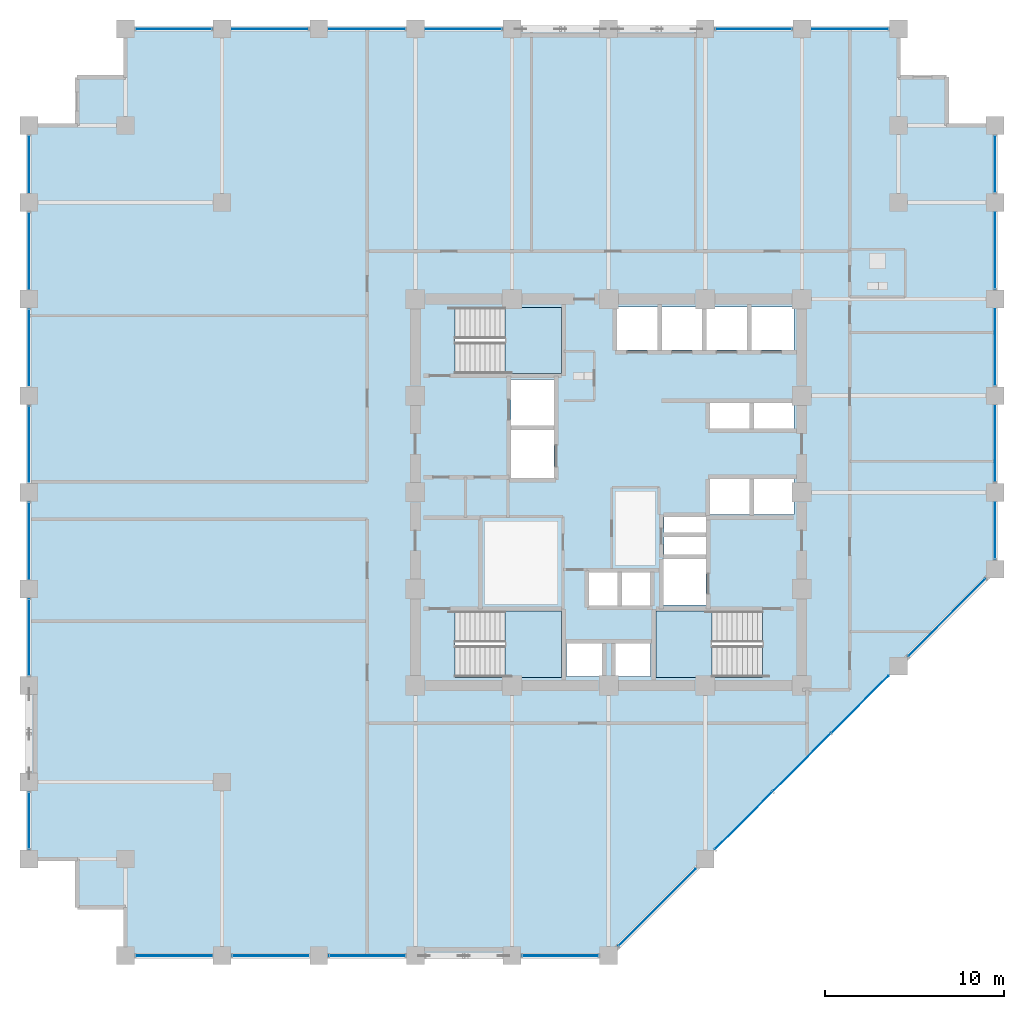
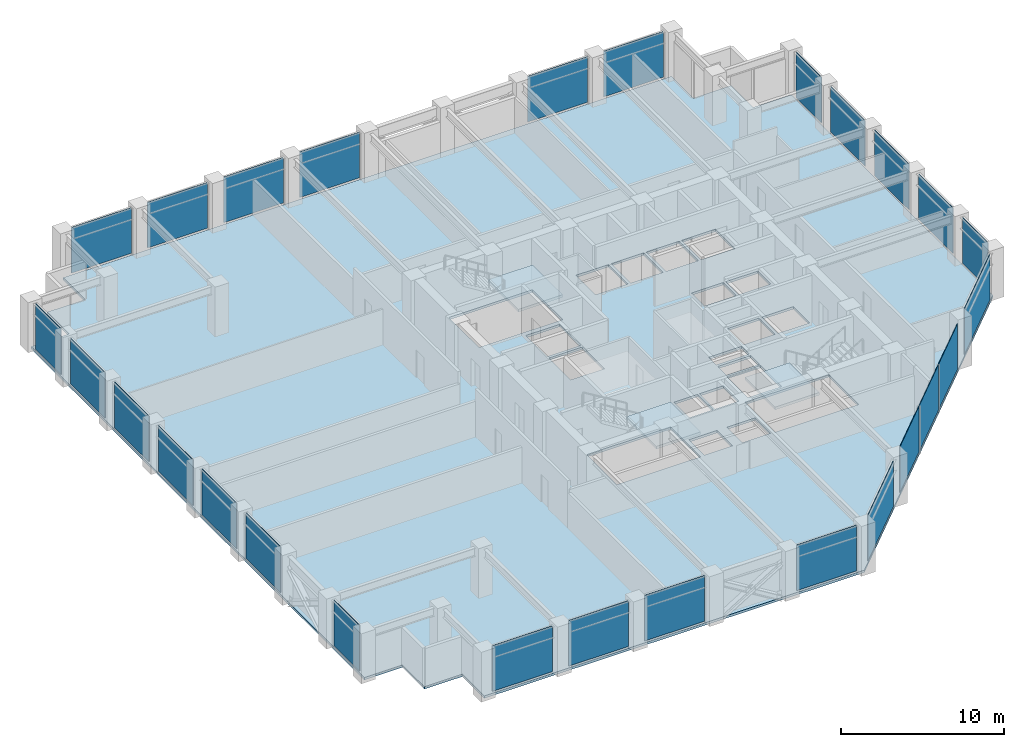
# One storey, part 17 of 23: 27 plates, 4 slabs, 11 elements without a shape of their own.
"""IFC4 building model written with IfcOpenShell, lengths in metres."""

from ifc_helpers import new_model, si_unit, direction, frame, frame_2d, origin, place, context, subcontext, project, spatial, polyline, rectangle, outline, extrude, material, layer, layer_set, type_object, element, aggregate, save


model = new_model("IFC4")

# Units and contexts
model_context = context("Model", 3, precision=1e-05, world=origin(), true_north=direction((0.0, 1.0)))
body_context = subcontext(model_context, "Body", "Model", "MODEL_VIEW")
ifc_project = project(units=[si_unit("LENGTHUNIT", "METRE"), si_unit("AREAUNIT", "SQUARE_METRE"), si_unit("VOLUMEUNIT", "CUBIC_METRE"), si_unit("PLANEANGLEUNIT", "RADIAN"), si_unit("MASSUNIT", "GRAM", prefix="KILO")], contexts=[model_context])

# Site, building, storey
site_placement = place(None, origin())
site = spatial("IfcSite", under=ifc_project, at=site_placement, CompositionType="ELEMENT")
building_placement = place(site_placement, origin())
building = spatial("IfcBuilding", under=site, at=building_placement, Name="Surkhivell Harbour Commons", CompositionType="ELEMENT")
storey_placement = place(building_placement, frame((0.0, 0.0, 128.25)))
storey = spatial("IfcBuildingStorey", under=building, at=storey_placement, Name="L33", CompositionType="ELEMENT", Elevation=128.25)

# Curtain wall, plates
ifc_material_1 = material(Name="Anodised pale-metal aluminium and insulated glazing", Category="aluminium")
ifc_layer_1 = layer(ifc_material_1, 0.205078125)
ifc_layer_set_1 = layer_set([ifc_layer_1], Name="Anodised pale-metal aluminium and insulated glazing")
curtain_wall_type = type_object("IfcCurtainWallType", Name="CW-SYS-Z2", PredefinedType="NOTDEFINED", material=ifc_layer_set_1)
curtain_wall_1_placement = place(storey_placement, origin())
curtain_wall_1 = element("IfcCurtainWall", 1, at=curtain_wall_1_placement, inside=storey, type_object=curtain_wall_type, Name="L33 Curtain Wall CW-L33-E00S1", PredefinedType="NOTDEFINED")
ifc_material_2 = material(Name="High-pressure typhoon laminated vision glass", Category="glass")
ifc_layer_2 = layer(ifc_material_2, 0.035888671875)
ifc_layer_set_2 = layer_set([ifc_layer_2], Name="High-pressure typhoon laminated vision glass")
plate_type = type_object("IfcPlateType", Name="CWP-GLZ-36", PredefinedType="CURTAIN_PANEL", material=ifc_layer_set_2)
plate_1_placement = place(storey_placement, frame((-26.423095703125, -25.89990234375, 0.14990234375), z_axis=(0.0, 0.0, 1.0), x_axis=(1.0, 0.0, 0.0)))
plate_1 = element("IfcPlate", 2, at=plate_1_placement, type_object=plate_type, Name="CW-Z2 panel 1.1", PredefinedType="CURTAIN_PANEL", context=body_context, shape_type="SweptSolid", body=[
    extrude(rectangle(XDim=4.24609375, YDim=0.035888671875, at=frame_2d((2.123046875, 0.0))), origin(), (0.0, 0.0, 1.0), 3.420166015625),
])
plate_2_placement = place(storey_placement, frame((-21.02294921875, -25.89990234375, 0.14990234375), z_axis=(0.0, 0.0, 1.0), x_axis=(1.0, 0.0, 0.0)))
plate_2 = element("IfcPlate", 3, at=plate_2_placement, type_object=plate_type, Name="CW-Z2 panel 2.1", PredefinedType="CURTAIN_PANEL", context=body_context, shape_type="SweptSolid", body=[
    extrude(rectangle(XDim=4.245849609375, YDim=0.035888671875, at=frame_2d((2.123046875, 0.0))), origin(), (0.0, 0.0, 1.0), 3.420166015625),
])
plate_3_placement = place(storey_placement, frame((-15.623046875, -25.89990234375, 0.14990234375), z_axis=(0.0, 0.0, 1.0), x_axis=(1.0, 0.0, 0.0)))
plate_3 = element("IfcPlate", 4, at=plate_3_placement, type_object=plate_type, Name="CW-Z2 panel 3.1", PredefinedType="CURTAIN_PANEL", context=body_context, shape_type="SweptSolid", body=[
    extrude(rectangle(XDim=4.24609375, YDim=0.035888671875, at=frame_2d((2.123046875, 0.0))), origin(), (0.0, 0.0, 1.0), 3.420166015625),
])
aggregate(curtain_wall_1, [plate_1, plate_2, plate_3])

# Curtain wall, plate
curtain_wall_2_placement = place(storey_placement, origin())
curtain_wall_2 = element("IfcCurtainWall", 5, at=curtain_wall_2_placement, inside=storey, type_object=curtain_wall_type, Name="L33 Curtain Wall CW-L33-E00S2", PredefinedType="NOTDEFINED")
plate_4_placement = place(storey_placement, frame((-4.822998046875, -25.89990234375, 0.14990234375), z_axis=(0.0, 0.0, 1.0), x_axis=(1.0, 0.0, 0.0)))
plate_4 = element("IfcPlate", 6, at=plate_4_placement, type_object=plate_type, Name="CW-Z2 panel 1.1", PredefinedType="CURTAIN_PANEL", context=body_context, shape_type="SweptSolid", body=[
    extrude(rectangle(XDim=4.24609375, YDim=0.035888671875, at=frame_2d((2.123046875, 0.0))), origin(), (0.0, 0.0, 1.0), 3.420166015625),
])
aggregate(curtain_wall_2, [plate_4])

# Curtain wall, plates
curtain_wall_3_placement = place(storey_placement, origin())
curtain_wall_3 = element("IfcCurtainWall", 7, at=curtain_wall_3_placement, inside=storey, type_object=curtain_wall_type, Name="L33 Curtain Wall CW-L33-E01", PredefinedType="NOTDEFINED")
plate_5_placement = place(storey_placement, frame((0.5546875, -25.34521484375, 0.14990234375), z_axis=(0.0, 0.0, 1.0), x_axis=(0.707106781187, 0.707106781187, 0.0)))
plate_5 = element("IfcPlate", 8, at=plate_5_placement, type_object=plate_type, Name="CW-Z2 panel 1.1", PredefinedType="CURTAIN_PANEL", context=body_context, shape_type="SweptSolid", body=[
    extrude(rectangle(XDim=6.067626953125, YDim=0.035888671875, at=frame_2d((3.03369140625, 0.0))), origin(), (0.0, 0.0, 1.0), 3.420166015625),
])
plate_6_placement = place(storey_placement, frame((5.954833984375, -19.9453125, 0.14990234375), z_axis=(0.0, 0.0, 1.0), x_axis=(0.707079687416, 0.707133873919, 0.0)))
plate_6 = element("IfcPlate", 9, at=plate_6_placement, type_object=plate_type, Name="CW-Z2 panel 2.1", PredefinedType="CURTAIN_PANEL", context=body_context, shape_type="SweptSolid", body=[
    extrude(rectangle(XDim=4.505615234375, YDim=0.035888671875, at=frame_2d((2.2529296875, 0.0))), origin(), (0.0, 0.0, 1.0), 3.420166015625),
])
plate_7_placement = place(storey_placement, frame((9.19384765625, -16.706298828125, 0.14990234375), z_axis=(0.0, 0.0, 1.0), x_axis=(0.707079911854, 0.707133649498, 0.0)))
plate_7 = element("IfcPlate", 10, at=plate_7_placement, type_object=plate_type, Name="CW-Z2 panel 3.1", PredefinedType="CURTAIN_PANEL", context=body_context, shape_type="SweptSolid", body=[
    extrude(rectangle(XDim=4.543212890625, YDim=0.035888671875, at=frame_2d((2.271484375, 0.0))), origin(), (0.0, 0.0, 1.0), 3.420166015625),
])
plate_8_placement = place(storey_placement, frame((12.459228515625, -13.440673828125, 0.14990234375), z_axis=(0.0, 0.0, 1.0), x_axis=(0.707106781187, 0.707106781187, 0.0)))
plate_8 = element("IfcPlate", 11, at=plate_8_placement, type_object=plate_type, Name="CW-Z2 panel 4.1", PredefinedType="CURTAIN_PANEL", context=body_context, shape_type="SweptSolid", body=[
    extrude(rectangle(XDim=4.505615234375, YDim=0.035888671875, at=frame_2d((2.2529296875, 0.0))), origin(), (0.0, 0.0, 1.0), 3.420166015625),
])
plate_9_placement = place(storey_placement, frame((16.754638671875, -9.145263671875, 0.14990234375), z_axis=(0.0, 0.0, 1.0), x_axis=(0.707106781187, 0.707106781187, 0.0)))
plate_9 = element("IfcPlate", 12, at=plate_9_placement, type_object=plate_type, Name="CW-Z2 panel 5.1", PredefinedType="CURTAIN_PANEL", context=body_context, shape_type="SweptSolid", body=[
    extrude(rectangle(XDim=6.067626953125, YDim=0.035888671875, at=frame_2d((3.03369140625, 0.0))), origin(), (0.0, 0.0, 1.0), 3.420166015625),
])
aggregate(curtain_wall_3, [plate_5, plate_6, plate_7, plate_8, plate_9])

curtain_wall_4_placement = place(storey_placement, origin())
curtain_wall_4 = element("IfcCurtainWall", 13, at=curtain_wall_4_placement, inside=storey, type_object=curtain_wall_type, Name="L33 Curtain Wall CW-L33-E02", PredefinedType="NOTDEFINED")
plate_10_placement = place(storey_placement, frame((21.60009765625, -3.722900390625, 0.14990234375), z_axis=(0.0, 0.0, 1.0), x_axis=(0.0, 1.0, 0.0)))
plate_10 = element("IfcPlate", 14, at=plate_10_placement, type_object=plate_type, Name="CW-Z2 panel 1.1", PredefinedType="CURTAIN_PANEL", context=body_context, shape_type="SweptSolid", body=[
    extrude(rectangle(XDim=3.14599609375, YDim=0.035888671875, at=frame_2d((1.572998046875, 0.0))), origin(), (0.0, 0.0, 1.0), 3.420166015625),
])
plate_11_placement = place(storey_placement, frame((21.60009765625, 0.576904296875, 0.14990234375), z_axis=(0.0, 0.0, 1.0), x_axis=(0.0, 1.0, 0.0)))
plate_11 = element("IfcPlate", 15, at=plate_11_placement, type_object=plate_type, Name="CW-Z2 panel 2.1", PredefinedType="CURTAIN_PANEL", context=body_context, shape_type="SweptSolid", body=[
    extrude(rectangle(XDim=4.24609375, YDim=0.035888671875, at=frame_2d((2.123046875, 0.0))), origin(), (0.0, 0.0, 1.0), 3.420166015625),
])
plate_12_placement = place(storey_placement, frame((21.60009765625, 5.97705078125, 0.14990234375), z_axis=(0.0, 0.0, 1.0), x_axis=(0.0, 1.0, 0.0)))
plate_12 = element("IfcPlate", 16, at=plate_12_placement, type_object=plate_type, Name="CW-Z2 panel 3.1", PredefinedType="CURTAIN_PANEL", context=body_context, shape_type="SweptSolid", body=[
    extrude(rectangle(XDim=4.245849609375, YDim=0.035888671875, at=frame_2d((2.123046875, 0.0))), origin(), (0.0, 0.0, 1.0), 3.420166015625),
])
plate_13_placement = place(storey_placement, frame((21.60009765625, 11.376953125, 0.14990234375), z_axis=(0.0, 0.0, 1.0), x_axis=(0.0, 1.0, 0.0)))
plate_13 = element("IfcPlate", 17, at=plate_13_placement, type_object=plate_type, Name="CW-Z2 panel 4.1", PredefinedType="CURTAIN_PANEL", context=body_context, shape_type="SweptSolid", body=[
    extrude(rectangle(XDim=4.24609375, YDim=0.035888671875, at=frame_2d((2.123046875, 0.0))), origin(), (0.0, 0.0, 1.0), 3.420166015625),
])
plate_14_placement = place(storey_placement, frame((21.60009765625, 16.777099609375, 0.14990234375), z_axis=(0.0, 0.0, 1.0), x_axis=(0.0, 1.0, 0.0)))
plate_14 = element("IfcPlate", 18, at=plate_14_placement, type_object=plate_type, Name="CW-Z2 panel 5.1", PredefinedType="CURTAIN_PANEL", context=body_context, shape_type="SweptSolid", body=[
    extrude(rectangle(XDim=3.14599609375, YDim=0.035888671875, at=frame_2d((1.572998046875, 0.0))), origin(), (0.0, 0.0, 1.0), 3.420166015625),
])
aggregate(curtain_wall_4, [plate_10, plate_11, plate_12, plate_13, plate_14])

curtain_wall_5_placement = place(storey_placement, origin())
curtain_wall_5 = element("IfcCurtainWall", 19, at=curtain_wall_5_placement, inside=storey, type_object=curtain_wall_type, Name="L33 Curtain Wall CW-L33-E07S1", PredefinedType="NOTDEFINED")
plate_15_placement = place(storey_placement, frame((15.623046875, 25.89990234375, 0.14990234375), z_axis=(0.0, 0.0, 1.0), x_axis=(-1.0, 0.0, 0.0)))
plate_15 = element("IfcPlate", 20, at=plate_15_placement, type_object=plate_type, Name="CW-Z2 panel 1.1", PredefinedType="CURTAIN_PANEL", context=body_context, shape_type="SweptSolid", body=[
    extrude(rectangle(XDim=4.24609375, YDim=0.035888671875, at=frame_2d((2.123046875, 0.0))), origin(), (0.0, 0.0, 1.0), 3.420166015625),
])
plate_16_placement = place(storey_placement, frame((10.222900390625, 25.89990234375, 0.14990234375), z_axis=(0.0, 0.0, 1.0), x_axis=(-1.0, 0.0, 0.0)))
plate_16 = element("IfcPlate", 21, at=plate_16_placement, type_object=plate_type, Name="CW-Z2 panel 2.1", PredefinedType="CURTAIN_PANEL", context=body_context, shape_type="SweptSolid", body=[
    extrude(rectangle(XDim=4.245849609375, YDim=0.035888671875, at=frame_2d((2.123046875, 0.0))), origin(), (0.0, 0.0, 1.0), 3.420166015625),
])
aggregate(curtain_wall_5, [plate_15, plate_16])

curtain_wall_6_placement = place(storey_placement, origin())
curtain_wall_6 = element("IfcCurtainWall", 22, at=curtain_wall_6_placement, inside=storey, type_object=curtain_wall_type, Name="L33 Curtain Wall CW-L33-E07S2", PredefinedType="NOTDEFINED")
plate_17_placement = place(storey_placement, frame((-5.97705078125, 25.89990234375, 0.14990234375), z_axis=(0.0, 0.0, 1.0), x_axis=(-1.0, 0.0, 0.0)))
plate_17 = element("IfcPlate", 23, at=plate_17_placement, type_object=plate_type, Name="CW-Z2 panel 1.1", PredefinedType="CURTAIN_PANEL", context=body_context, shape_type="SweptSolid", body=[
    extrude(rectangle(XDim=4.245849609375, YDim=0.035888671875, at=frame_2d((2.123046875, 0.0))), origin(), (0.0, 0.0, 1.0), 3.420166015625),
])
plate_18_placement = place(storey_placement, frame((-11.376953125, 25.89990234375, 0.14990234375), z_axis=(0.0, 0.0, 1.0), x_axis=(-1.0, 0.0, 0.0)))
plate_18 = element("IfcPlate", 24, at=plate_18_placement, type_object=plate_type, Name="CW-Z2 panel 2.1", PredefinedType="CURTAIN_PANEL", context=body_context, shape_type="SweptSolid", body=[
    extrude(rectangle(XDim=4.24609375, YDim=0.035888671875, at=frame_2d((2.123046875, 0.0))), origin(), (0.0, 0.0, 1.0), 3.420166015625),
])
plate_19_placement = place(storey_placement, frame((-16.777099609375, 25.89990234375, 0.14990234375), z_axis=(0.0, 0.0, 1.0), x_axis=(-1.0, 0.0, 0.0)))
plate_19 = element("IfcPlate", 25, at=plate_19_placement, type_object=plate_type, Name="CW-Z2 panel 3.1", PredefinedType="CURTAIN_PANEL", context=body_context, shape_type="SweptSolid", body=[
    extrude(rectangle(XDim=4.245849609375, YDim=0.035888671875, at=frame_2d((2.123046875, 0.0))), origin(), (0.0, 0.0, 1.0), 3.420166015625),
])
plate_20_placement = place(storey_placement, frame((-22.177001953125, 25.89990234375, 0.14990234375), z_axis=(0.0, 0.0, 1.0), x_axis=(-1.0, 0.0, 0.0)))
plate_20 = element("IfcPlate", 26, at=plate_20_placement, type_object=plate_type, Name="CW-Z2 panel 4.1", PredefinedType="CURTAIN_PANEL", context=body_context, shape_type="SweptSolid", body=[
    extrude(rectangle(XDim=4.24609375, YDim=0.035888671875, at=frame_2d((2.123046875, 0.0))), origin(), (0.0, 0.0, 1.0), 3.420166015625),
])
aggregate(curtain_wall_6, [plate_17, plate_18, plate_19, plate_20])

curtain_wall_7_placement = place(storey_placement, origin())
curtain_wall_7 = element("IfcCurtainWall", 27, at=curtain_wall_7_placement, inside=storey, type_object=curtain_wall_type, Name="L33 Curtain Wall CW-L33-E12S1", PredefinedType="NOTDEFINED")
plate_21_placement = place(storey_placement, frame((-32.39990234375, 19.923095703125, 0.14990234375), z_axis=(0.0, 0.0, 1.0), x_axis=(0.0, -1.0, 0.0)))
plate_21 = element("IfcPlate", 28, at=plate_21_placement, type_object=plate_type, Name="CW-Z2 panel 1.1", PredefinedType="CURTAIN_PANEL", context=body_context, shape_type="SweptSolid", body=[
    extrude(rectangle(XDim=3.14599609375, YDim=0.035888671875, at=frame_2d((1.572998046875, 0.0))), origin(), (0.0, 0.0, 1.0), 3.420166015625),
])
plate_22_placement = place(storey_placement, frame((-32.39990234375, 15.623046875, 0.14990234375), z_axis=(0.0, 0.0, 1.0), x_axis=(0.0, -1.0, 0.0)))
plate_22 = element("IfcPlate", 29, at=plate_22_placement, type_object=plate_type, Name="CW-Z2 panel 2.1", PredefinedType="CURTAIN_PANEL", context=body_context, shape_type="SweptSolid", body=[
    extrude(rectangle(XDim=4.24609375, YDim=0.035888671875, at=frame_2d((2.123046875, 0.0))), origin(), (0.0, 0.0, 1.0), 3.420166015625),
])
plate_23_placement = place(storey_placement, frame((-32.39990234375, 10.222900390625, 0.14990234375), z_axis=(0.0, 0.0, 1.0), x_axis=(0.0, -1.0, 0.0)))
plate_23 = element("IfcPlate", 30, at=plate_23_placement, type_object=plate_type, Name="CW-Z2 panel 3.1", PredefinedType="CURTAIN_PANEL", context=body_context, shape_type="SweptSolid", body=[
    extrude(rectangle(XDim=4.245849609375, YDim=0.035888671875, at=frame_2d((2.123046875, 0.0))), origin(), (0.0, 0.0, 1.0), 3.420166015625),
])
plate_24_placement = place(storey_placement, frame((-32.39990234375, 4.822998046875, 0.14990234375), z_axis=(0.0, 0.0, 1.0), x_axis=(0.0, -1.0, 0.0)))
plate_24 = element("IfcPlate", 31, at=plate_24_placement, type_object=plate_type, Name="CW-Z2 panel 4.1", PredefinedType="CURTAIN_PANEL", context=body_context, shape_type="SweptSolid", body=[
    extrude(rectangle(XDim=4.24609375, YDim=0.035888671875, at=frame_2d((2.123046875, 0.0))), origin(), (0.0, 0.0, 1.0), 3.420166015625),
])
plate_25_placement = place(storey_placement, frame((-32.39990234375, -0.576904296875, 0.14990234375), z_axis=(0.0, 0.0, 1.0), x_axis=(0.0, -1.0, 0.0)))
plate_25 = element("IfcPlate", 32, at=plate_25_placement, type_object=plate_type, Name="CW-Z2 panel 5.1", PredefinedType="CURTAIN_PANEL", context=body_context, shape_type="SweptSolid", body=[
    extrude(rectangle(XDim=4.24609375, YDim=0.035888671875, at=frame_2d((2.123046875, 0.0))), origin(), (0.0, 0.0, 1.0), 3.420166015625),
])
plate_26_placement = place(storey_placement, frame((-32.39990234375, -5.97705078125, 0.14990234375), z_axis=(0.0, 0.0, 1.0), x_axis=(0.0, -1.0, 0.0)))
plate_26 = element("IfcPlate", 33, at=plate_26_placement, type_object=plate_type, Name="CW-Z2 panel 6.1", PredefinedType="CURTAIN_PANEL", context=body_context, shape_type="SweptSolid", body=[
    extrude(rectangle(XDim=4.245849609375, YDim=0.035888671875, at=frame_2d((2.123046875, 0.0))), origin(), (0.0, 0.0, 1.0), 3.420166015625),
])
aggregate(curtain_wall_7, [plate_21, plate_22, plate_23, plate_24, plate_25, plate_26])

# Curtain wall, plate
curtain_wall_8_placement = place(storey_placement, origin())
curtain_wall_8 = element("IfcCurtainWall", 34, at=curtain_wall_8_placement, inside=storey, type_object=curtain_wall_type, Name="L33 Curtain Wall CW-L33-E12S2", PredefinedType="NOTDEFINED")
plate_27_placement = place(storey_placement, frame((-32.39990234375, -16.777099609375, 0.14990234375), z_axis=(0.0, 0.0, 1.0), x_axis=(0.0, -1.0, 0.0)))
plate_27 = element("IfcPlate", 35, at=plate_27_placement, type_object=plate_type, Name="CW-Z2 panel 1.1", PredefinedType="CURTAIN_PANEL", context=body_context, shape_type="SweptSolid", body=[
    extrude(rectangle(XDim=3.14599609375, YDim=0.035888671875, at=frame_2d((1.572998046875, 0.0))), origin(), (0.0, 0.0, 1.0), 3.420166015625),
])
aggregate(curtain_wall_8, [plate_27])

# Stair, slab
ifc_material_3 = material(Name="Precast concrete C45/55", Category="concrete")
stair_type = type_object("IfcStairType", Name="STR-DL-375", PredefinedType="HALF_TURN_STAIR", material=ifc_material_3)
stair_1_placement = place(storey_placement, origin())
stair_1 = element("IfcStair", 36, at=stair_1_placement, inside=storey, type_object=stair_type, Name="L33 Core Exit Stair ST1", PredefinedType="HALF_TURN_STAIR")
ifc_material_4 = material(Name="Reinforced concrete C45/55", Category="concrete")
ifc_layer_3 = layer(ifc_material_4, 0.199951171875)
ifc_layer_set_3 = layer_set([ifc_layer_3], Name="Reinforced concrete C45/55")
slab_type_1 = type_object("IfcSlabType", Name="SLB-ST-LND200", PredefinedType="LANDING", material=ifc_layer_set_3)
slab_1_placement = place(storey_placement, frame((0.0, 0.0, 1.675048828125)))
slab_1 = element("IfcSlab", 37, at=slab_1_placement, type_object=slab_type_1, Name="ST1 landing 1", PredefinedType="LANDING", context=body_context, shape_type="SweptSolid", body=[
    extrude(outline(polyline([(-5.7900390625, 6.639892578125), (-2.639892578125, 6.639892578125), (-2.639892578125, 10.340087890625), (-5.7900390625, 10.340087890625), (-5.7900390625, 6.639892578125)])), origin(), (0.0, 0.0, 1.0), 0.199951171875),
])
aggregate(stair_1, [slab_1])

stair_2_placement = place(storey_placement, origin())
stair_2 = element("IfcStair", 38, at=stair_2_placement, inside=storey, type_object=stair_type, Name="L33 Core Exit Stair ST2", PredefinedType="HALF_TURN_STAIR")
slab_2_placement = place(storey_placement, frame((0.0, 0.0, 1.675048828125)))
slab_2 = element("IfcSlab", 39, at=slab_2_placement, type_object=slab_type_1, Name="ST2 landing 1", PredefinedType="LANDING", context=body_context, shape_type="SweptSolid", body=[
    extrude(outline(polyline([(5.7900390625, -6.639892578125), (2.639892578125, -6.639892578125), (2.639892578125, -10.340087890625), (5.7900390625, -10.340087890625), (5.7900390625, -6.639892578125)])), origin(), (0.0, 0.0, 1.0), 0.199951171875),
])
aggregate(stair_2, [slab_2])

stair_3_placement = place(storey_placement, origin())
stair_3 = element("IfcStair", 40, at=stair_3_placement, inside=storey, type_object=stair_type, Name="L33 Core Exit Stair ST3", PredefinedType="HALF_TURN_STAIR")
slab_3_placement = place(storey_placement, frame((0.0, 0.0, 1.675048828125)))
slab_3 = element("IfcSlab", 41, at=slab_3_placement, type_object=slab_type_1, Name="ST3 landing 1", PredefinedType="LANDING", context=body_context, shape_type="SweptSolid", body=[
    extrude(outline(polyline([(-5.7900390625, -10.340087890625), (-2.639892578125, -10.340087890625), (-2.639892578125, -6.639892578125), (-5.7900390625, -6.639892578125), (-5.7900390625, -10.340087890625)])), origin(), (0.0, 0.0, 1.0), 0.199951171875),
])
aggregate(stair_3, [slab_3])

# Slab
ifc_material_5 = material(Name="Concrete C45/55", Category="concrete")
ifc_layer_4 = layer(ifc_material_5, 0.179931640625)
ifc_layer_set_4 = layer_set([ifc_layer_4], Name="Concrete C45/55")
slab_type_2 = type_object("IfcSlabType", Name="SLB-TYP-180", PredefinedType="FLOOR", material=ifc_layer_set_4)
slab_4_placement = place(storey_placement, frame((0.0, 0.0, -0.179931640625)))
element("IfcSlab", 42, at=slab_4_placement, inside=storey, type_object=slab_type_2, Name="L33 Structural Floor Slab", PredefinedType="FLOOR", context=body_context, shape_type="SweptSolid", body=[
    extrude(outline(polyline([(-27.0, -25.89990234375), (0.0, -25.89990234375), (21.60009765625, -4.300048828125), (21.60009765625, 20.5), (18.89990234375, 20.5), (18.89990234375, 23.199951171875), (16.199951171875, 23.199951171875), (16.199951171875, 25.89990234375), (-27.0, 25.89990234375), (-27.0, 23.199951171875), (-29.699951171875, 23.199951171875), (-29.699951171875, 20.5), (-32.39990234375, 20.5), (-32.39990234375, -20.5), (-29.699951171875, -20.5), (-29.699951171875, -23.199951171875), (-27.0, -23.199951171875), (-27.0, -25.89990234375)]), holes=[polyline([(-8.590087890625, 6.639892578125), (-2.639892578125, 6.639892578125), (-2.639892578125, 10.340087890625), (-8.590087890625, 10.340087890625), (-8.590087890625, 6.639892578125)]), polyline([(8.590087890625, -6.639892578125), (2.639892578125, -6.639892578125), (2.639892578125, -10.340087890625), (8.590087890625, -10.340087890625), (8.590087890625, -6.639892578125)]), polyline([(-8.590087890625, -10.340087890625), (-2.639892578125, -10.340087890625), (-2.639892578125, -6.639892578125), (-8.590087890625, -6.639892578125), (-8.590087890625, -10.340087890625)]), polyline([(0.449951171875, 7.949951171875), (2.75, 7.949951171875), (2.75, 10.35009765625), (0.449951171875, 10.35009765625), (0.449951171875, 7.949951171875)]), polyline([(2.949951171875, 7.949951171875), (5.25, 7.949951171875), (5.25, 10.35009765625), (2.949951171875, 10.35009765625), (2.949951171875, 7.949951171875)]), polyline([(5.449951171875, 7.949951171875), (7.75, 7.949951171875), (7.75, 10.35009765625), (5.449951171875, 10.35009765625), (5.449951171875, 7.949951171875)]), polyline([(7.949951171875, 7.949951171875), (10.35009765625, 7.949951171875), (10.35009765625, 10.35009765625), (7.949951171875, 10.35009765625), (7.949951171875, 7.949951171875)]), polyline([(5.64990234375, 3.550048828125), (7.89990234375, 3.550048828125), (7.89990234375, 5.14990234375), (5.64990234375, 5.14990234375), (5.64990234375, 3.550048828125)]), polyline([(8.10009765625, 3.550048828125), (10.35009765625, 3.550048828125), (10.35009765625, 5.14990234375), (8.10009765625, 5.14990234375), (8.10009765625, 3.550048828125)]), polyline([(5.64990234375, -1.25), (7.89990234375, -1.25), (7.89990234375, 0.75), (5.64990234375, 0.75), (5.64990234375, -1.25)]), polyline([(8.10009765625, -1.25), (10.35009765625, -1.25), (10.35009765625, 0.75), (8.10009765625, 0.75), (8.10009765625, -1.25)]), polyline([(-1.14990234375, -6.35009765625), (0.550048828125, -6.35009765625), (0.550048828125, -4.449951171875), (-1.14990234375, -4.449951171875), (-1.14990234375, -6.35009765625)]), polyline([(0.679931640625, -6.35009765625), (2.3798828125, -6.35009765625), (2.3798828125, -4.449951171875), (0.679931640625, -4.449951171875), (0.679931640625, -6.35009765625)]), polyline([(-2.35009765625, -10.300048828125), (-0.35009765625, -10.300048828125), (-0.35009765625, -8.39990234375), (-2.35009765625, -8.39990234375), (-2.35009765625, -10.300048828125)]), polyline([(0.35009765625, -10.300048828125), (2.35009765625, -10.300048828125), (2.35009765625, -8.39990234375), (0.35009765625, -8.39990234375), (0.35009765625, -10.300048828125)]), polyline([(-5.449951171875, 3.699951171875), (-3.050048828125, 3.699951171875), (-3.050048828125, 6.300048828125), (-5.449951171875, 6.300048828125), (-5.449951171875, 3.699951171875)]), polyline([(3.050048828125, -6.300048828125), (5.449951171875, -6.300048828125), (5.449951171875, -3.699951171875), (3.050048828125, -3.699951171875), (3.050048828125, -6.300048828125)]), polyline([(-5.449951171875, 0.800048828125), (-3.050048828125, 0.800048828125), (-3.050048828125, 3.5), (-5.449951171875, 3.5), (-5.449951171875, 0.800048828125)]), polyline([(3.10009765625, -3.550048828125), (5.449951171875, -3.550048828125), (5.449951171875, -2.47998046875), (3.10009765625, -2.47998046875), (3.10009765625, -3.550048828125)]), polyline([(3.10009765625, -2.280029296875), (5.449951171875, -2.280029296875), (5.449951171875, -1.35009765625), (3.10009765625, -1.35009765625), (3.10009765625, -2.280029296875)])]), origin(), (0.0, 0.0, 1.0), 0.179931640625),
])

save(model, "model.ifc")
